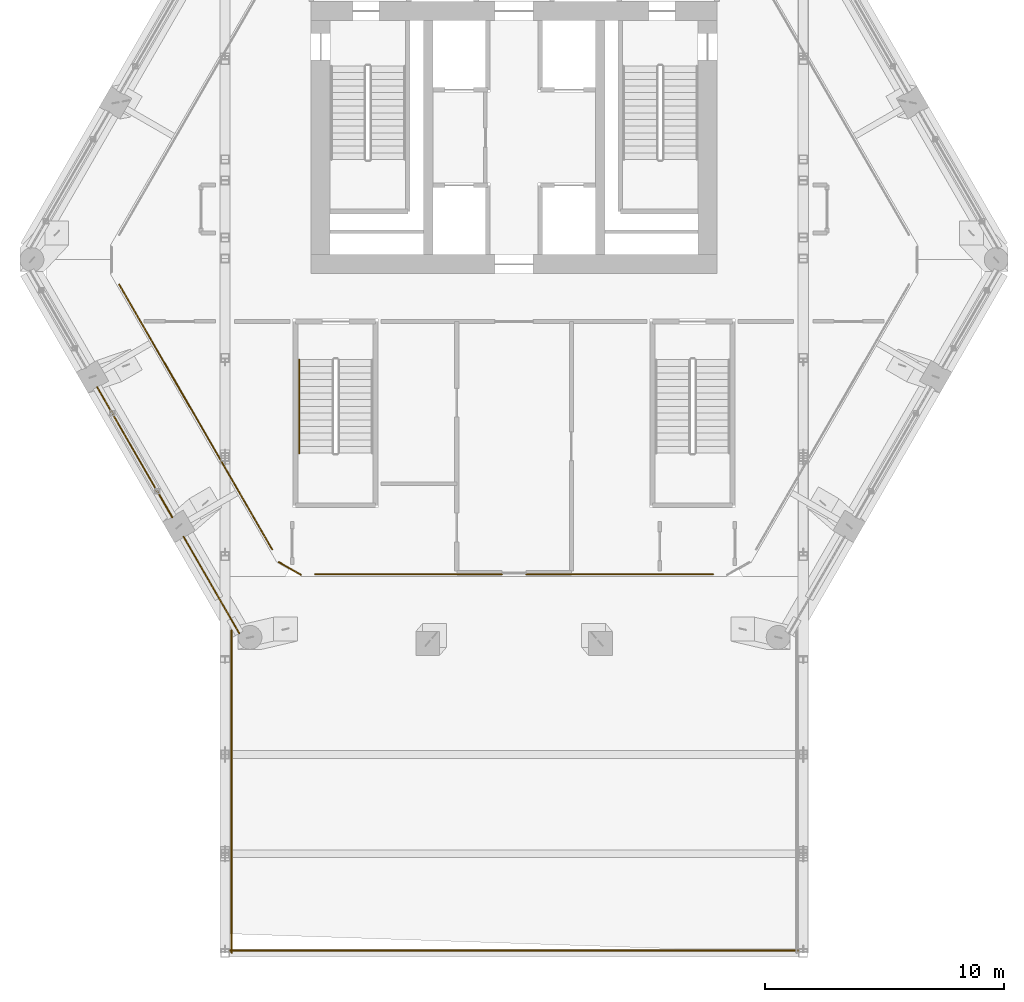
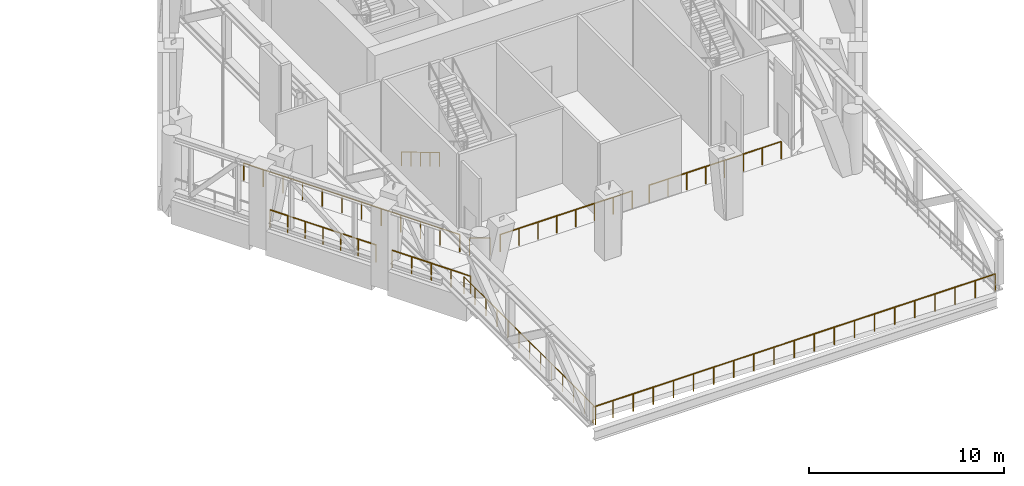
# One storey, part 18 of 22: 9 railings.
"""IFC4 building model written with IfcOpenShell, lengths in metres."""

from ifc_helpers import new_model, si_unit, direction, frame, origin, origin_2d, place, context, subcontext, project, spatial, circle, extrude, material, type_object, element, save


model = new_model("IFC4")

# Units and contexts
model_context = context("Model", 3, precision=1e-05, world=origin(), true_north=direction((0.0, 1.0)))
body_context = subcontext(model_context, "Body", "Model", "MODEL_VIEW")
ifc_project = project(units=[si_unit("LENGTHUNIT", "METRE"), si_unit("AREAUNIT", "SQUARE_METRE"), si_unit("VOLUMEUNIT", "CUBIC_METRE"), si_unit("PLANEANGLEUNIT", "RADIAN"), si_unit("MASSUNIT", "GRAM", prefix="KILO")], contexts=[model_context])

# Site, building, storey
site_placement = place(None, origin())
site = spatial("IfcSite", under=ifc_project, at=site_placement, CompositionType="ELEMENT")
building_placement = place(site_placement, origin())
building = spatial("IfcBuilding", under=site, at=building_placement, Name="Ostrander Bayou Hotel Tower", CompositionType="ELEMENT")
storey_placement = place(building_placement, frame((0.0, 0.0, 209.5)))
storey = spatial("IfcBuildingStorey", under=building, at=storey_placement, Name="L52", CompositionType="ELEMENT", Elevation=209.5)

# Railings
ifc_material_1 = material(Name="Stainless steel and clear glass", Category="steel")
railing_type_1 = type_object("IfcRailingType", Name="GR1 guard 1100 mm", PredefinedType="GUARDRAIL", material=ifc_material_1)
railing_1_placement = place(storey_placement, frame((-17.465576171875, -6.44873046875, 0.0)))
element("IfcRailing", 1, at=railing_1_placement, inside=storey, type_object=railing_type_1, Name="GR1 L52 SW-2 open band guard", PredefinedType="GUARDRAIL", context=body_context, shape_type="SweptSolid", body=[
    extrude(circle(Radius=0.02490234375, at=origin_2d()), frame((0.0, 0.0, 1.0751953125), z_axis=(0.500013351051, -0.866017695414, 0.0), x_axis=(0.866017695414, 0.500013351051, 0.0)), (0.0, 0.0, 1.0), 6.296142578125),
    extrude(circle(Radius=0.02001953125, at=origin_2d()), origin(), (0.0, 0.0, 1.0), 1.050048828125),
    extrude(circle(Radius=0.02001953125, at=origin_2d()), frame((0.524658203125, -0.90869140625, 0.0)), (0.0, 0.0, 1.0), 1.050048828125),
    extrude(circle(Radius=0.02001953125, at=origin_2d()), frame((1.04931640625, -1.817626953125, 0.0)), (0.0, 0.0, 1.0), 1.050048828125),
    extrude(circle(Radius=0.02001953125, at=origin_2d()), frame((1.57421875, -2.726318359375, 0.0)), (0.0, 0.0, 1.0), 1.050048828125),
    extrude(circle(Radius=0.02001953125, at=origin_2d()), frame((2.098876953125, -3.635009765625, 0.0)), (0.0, 0.0, 1.0), 1.050048828125),
    extrude(circle(Radius=0.02001953125, at=origin_2d()), frame((2.62353515625, -4.5439453125, 0.0)), (0.0, 0.0, 1.0), 1.050048828125),
    extrude(circle(Radius=0.02001953125, at=origin_2d()), frame((3.148193359375, -5.45263671875, 0.0)), (0.0, 0.0, 1.0), 1.050048828125),
])
railing_2_placement = place(storey_placement, frame((-13.847412109375, -12.71533203125, 0.0)))
element("IfcRailing", 2, at=railing_2_placement, inside=storey, type_object=railing_type_1, Name="GR1 L52 SW-3 open band guard", PredefinedType="GUARDRAIL", context=body_context, shape_type="SweptSolid", body=[
    extrude(circle(Radius=0.02490234375, at=origin_2d()), frame((0.0, 0.0, 1.0751953125), z_axis=(0.499966354109, -0.866044828377, 0.0), x_axis=(0.866044828377, 0.499966354109, 0.0)), (0.0, 0.0, 1.0), 4.678955078125),
    extrude(circle(Radius=0.02001953125, at=origin_2d()), origin(), (0.0, 0.0, 1.0), 1.050048828125),
    extrude(circle(Radius=0.02001953125, at=origin_2d()), frame((0.5849609375, -1.01318359375, 0.0)), (0.0, 0.0, 1.0), 1.050048828125),
    extrude(circle(Radius=0.02001953125, at=origin_2d()), frame((1.169677734375, -2.026123046875, 0.0)), (0.0, 0.0, 1.0), 1.050048828125),
    extrude(circle(Radius=0.02001953125, at=origin_2d()), frame((1.75439453125, -3.0390625, 0.0)), (0.0, 0.0, 1.0), 1.050048828125),
    extrude(circle(Radius=0.02001953125, at=origin_2d()), frame((2.33935546875, -4.05224609375, 0.0)), (0.0, 0.0, 1.0), 1.050048828125),
])
railing_3_placement = place(storey_placement, frame((-9.855712890625, -13.77978515625, 0.0)))
element("IfcRailing", 3, at=railing_3_placement, inside=storey, type_object=railing_type_1, Name="GR1 L52 corner guard 3", PredefinedType="GUARDRAIL", context=body_context, shape_type="SweptSolid", body=[
    extrude(circle(Radius=0.02490234375, at=origin_2d()), frame((0.0, 0.0, 1.0751953125), z_axis=(0.866105447774, -0.499861334108, 0.0), x_axis=(0.499861334108, 0.866105447774, 0.0)), (0.0, 0.0, 1.0), 1.065185546875),
    extrude(circle(Radius=0.02001953125, at=origin_2d()), origin(), (0.0, 0.0, 1.0), 1.050048828125),
    extrude(circle(Radius=0.02001953125, at=origin_2d()), frame((0.922607421875, -0.532470703125, 0.0)), (0.0, 0.0, 1.0), 1.050048828125),
])
railing_4_placement = place(storey_placement, frame((-10.13330078125, -13.24853515625, 0.0)))
element("IfcRailing", 4, at=railing_4_placement, inside=storey, type_object=railing_type_1, Name="GR1 L52 edge guard 5", PredefinedType="GUARDRAIL", context=body_context, shape_type="SweptSolid", body=[
    extrude(circle(Radius=0.02490234375, at=origin_2d()), frame((0.0, 0.0, 1.0751953125), z_axis=(-0.50000997732, 0.8660196433, 0.0), x_axis=(-0.8660196433, -0.50000997732, 0.0)), (0.0, 0.0, 1.0), 12.813720703125),
    extrude(circle(Radius=0.02001953125, at=origin_2d()), origin(), (0.0, 0.0, 1.0), 1.050048828125),
    extrude(circle(Radius=0.02001953125, at=origin_2d()), frame((-0.58251953125, 1.0087890625, 0.0)), (0.0, 0.0, 1.0), 1.050048828125),
    extrude(circle(Radius=0.02001953125, at=origin_2d()), frame((-1.164794921875, 2.017578125, 0.0)), (0.0, 0.0, 1.0), 1.050048828125),
    extrude(circle(Radius=0.02001953125, at=origin_2d()), frame((-1.747314453125, 3.0263671875, 0.0)), (0.0, 0.0, 1.0), 1.050048828125),
    extrude(circle(Radius=0.02001953125, at=origin_2d()), frame((-2.329833984375, 4.03515625, 0.0)), (0.0, 0.0, 1.0), 1.050048828125),
    extrude(circle(Radius=0.02001953125, at=origin_2d()), frame((-2.912353515625, 5.0439453125, 0.0)), (0.0, 0.0, 1.0), 1.050048828125),
    extrude(circle(Radius=0.02001953125, at=origin_2d()), frame((-3.49462890625, 6.052978515625, 0.0)), (0.0, 0.0, 1.0), 1.050048828125),
    extrude(circle(Radius=0.02001953125, at=origin_2d()), frame((-4.0771484375, 7.061767578125, 0.0)), (0.0, 0.0, 1.0), 1.050048828125),
    extrude(circle(Radius=0.02001953125, at=origin_2d()), frame((-4.65966796875, 8.070556640625, 0.0)), (0.0, 0.0, 1.0), 1.050048828125),
    extrude(circle(Radius=0.02001953125, at=origin_2d()), frame((-5.2421875, 9.079345703125, 0.0)), (0.0, 0.0, 1.0), 1.050048828125),
    extrude(circle(Radius=0.02001953125, at=origin_2d()), frame((-5.824462890625, 10.088134765625, 0.0)), (0.0, 0.0, 1.0), 1.050048828125),
    extrude(circle(Radius=0.02001953125, at=origin_2d()), frame((-6.406982421875, 11.096923828125, 0.0)), (0.0, 0.0, 1.0), 1.050048828125),
])
railing_5_placement = place(storey_placement, frame((-11.832275390625, -16.6357421875, 0.0)))
element("IfcRailing", 5, at=railing_5_placement, inside=storey, type_object=railing_type_1, Name="GR1 bar roof guard SB4 2", PredefinedType="GUARDRAIL", context=body_context, shape_type="SweptSolid", body=[
    extrude(circle(Radius=0.02490234375, at=origin_2d()), frame((0.0, 0.0, 1.0751953125), z_axis=(0.0, -1.0, 0.0), x_axis=(1.0, 0.0, 0.0)), (0.0, 0.0, 1.0), 13.51416015625),
    extrude(circle(Radius=0.02001953125, at=origin_2d()), origin(), (0.0, 0.0, 1.0), 1.050048828125),
    extrude(circle(Radius=0.02001953125, at=origin_2d()), frame((0.0, -1.126220703125, 0.0)), (0.0, 0.0, 1.0), 1.050048828125),
    extrude(circle(Radius=0.02001953125, at=origin_2d()), frame((0.0, -2.25244140625, 0.0)), (0.0, 0.0, 1.0), 1.050048828125),
    extrude(circle(Radius=0.02001953125, at=origin_2d()), frame((0.0, -3.37841796875, 0.0)), (0.0, 0.0, 1.0), 1.050048828125),
    extrude(circle(Radius=0.02001953125, at=origin_2d()), frame((0.0, -4.504638671875, 0.0)), (0.0, 0.0, 1.0), 1.050048828125),
    extrude(circle(Radius=0.02001953125, at=origin_2d()), frame((0.0, -5.630859375, 0.0)), (0.0, 0.0, 1.0), 1.050048828125),
    extrude(circle(Radius=0.02001953125, at=origin_2d()), frame((0.0, -6.757080078125, 0.0)), (0.0, 0.0, 1.0), 1.050048828125),
    extrude(circle(Radius=0.02001953125, at=origin_2d()), frame((0.0, -7.88330078125, 0.0)), (0.0, 0.0, 1.0), 1.050048828125),
    extrude(circle(Radius=0.02001953125, at=origin_2d()), frame((0.0, -9.009521484375, 0.0)), (0.0, 0.0, 1.0), 1.050048828125),
    extrude(circle(Radius=0.02001953125, at=origin_2d()), frame((0.0, -10.1357421875, 0.0)), (0.0, 0.0, 1.0), 1.050048828125),
    extrude(circle(Radius=0.02001953125, at=origin_2d()), frame((0.0, -11.26171875, 0.0)), (0.0, 0.0, 1.0), 1.050048828125),
    extrude(circle(Radius=0.02001953125, at=origin_2d()), frame((0.0, -12.387939453125, 0.0)), (0.0, 0.0, 1.0), 1.050048828125),
    extrude(circle(Radius=0.02001953125, at=origin_2d()), frame((0.0, -13.51416015625, 0.0)), (0.0, 0.0, 1.0), 1.050048828125),
])
railing_6_placement = place(storey_placement, frame((-11.93212890625, -30.050048828125, 0.0)))
element("IfcRailing", 6, at=railing_6_placement, inside=storey, type_object=railing_type_1, Name="GR1 bar roof guard SB4 3", PredefinedType="GUARDRAIL", context=body_context, shape_type="SweptSolid", body=[
    extrude(circle(Radius=0.02490234375, at=origin_2d()), frame((0.0, 0.0, 1.0751953125), z_axis=(1.0, 0.0, 0.0), x_axis=(0.0, 1.0, 0.0)), (0.0, 0.0, 1.0), 23.8642578125),
    extrude(circle(Radius=0.02001953125, at=origin_2d()), origin(), (0.0, 0.0, 1.0), 1.050048828125),
    extrude(circle(Radius=0.02001953125, at=origin_2d()), frame((1.193115234375, 0.0, 0.0)), (0.0, 0.0, 1.0), 1.050048828125),
    extrude(circle(Radius=0.02001953125, at=origin_2d()), frame((2.386474609375, 0.0, 0.0)), (0.0, 0.0, 1.0), 1.050048828125),
    extrude(circle(Radius=0.02001953125, at=origin_2d()), frame((3.57958984375, 0.0, 0.0)), (0.0, 0.0, 1.0), 1.050048828125),
    extrude(circle(Radius=0.02001953125, at=origin_2d()), frame((4.77294921875, 0.0, 0.0)), (0.0, 0.0, 1.0), 1.050048828125),
    extrude(circle(Radius=0.02001953125, at=origin_2d()), frame((5.966064453125, 0.0, 0.0)), (0.0, 0.0, 1.0), 1.050048828125),
    extrude(circle(Radius=0.02001953125, at=origin_2d()), frame((7.1591796875, 0.0, 0.0)), (0.0, 0.0, 1.0), 1.050048828125),
    extrude(circle(Radius=0.02001953125, at=origin_2d()), frame((8.3525390625, 0.0, 0.0)), (0.0, 0.0, 1.0), 1.050048828125),
    extrude(circle(Radius=0.02001953125, at=origin_2d()), frame((9.545654296875, 0.0, 0.0)), (0.0, 0.0, 1.0), 1.050048828125),
    extrude(circle(Radius=0.02001953125, at=origin_2d()), frame((10.739013671875, 0.0, 0.0)), (0.0, 0.0, 1.0), 1.050048828125),
    extrude(circle(Radius=0.02001953125, at=origin_2d()), frame((11.93212890625, 0.0, 0.0)), (0.0, 0.0, 1.0), 1.050048828125),
    extrude(circle(Radius=0.02001953125, at=origin_2d()), frame((13.125244140625, 0.0, 0.0)), (0.0, 0.0, 1.0), 1.050048828125),
    extrude(circle(Radius=0.02001953125, at=origin_2d()), frame((14.318603515625, 0.0, 0.0)), (0.0, 0.0, 1.0), 1.050048828125),
    extrude(circle(Radius=0.02001953125, at=origin_2d()), frame((15.51171875, 0.0, 0.0)), (0.0, 0.0, 1.0), 1.050048828125),
    extrude(circle(Radius=0.02001953125, at=origin_2d()), frame((16.705078125, 0.0, 0.0)), (0.0, 0.0, 1.0), 1.050048828125),
    extrude(circle(Radius=0.02001953125, at=origin_2d()), frame((17.898193359375, 0.0, 0.0)), (0.0, 0.0, 1.0), 1.050048828125),
    extrude(circle(Radius=0.02001953125, at=origin_2d()), frame((19.09130859375, 0.0, 0.0)), (0.0, 0.0, 1.0), 1.050048828125),
    extrude(circle(Radius=0.02001953125, at=origin_2d()), frame((20.28466796875, 0.0, 0.0)), (0.0, 0.0, 1.0), 1.050048828125),
    extrude(circle(Radius=0.02001953125, at=origin_2d()), frame((21.477783203125, 0.0, 0.0)), (0.0, 0.0, 1.0), 1.050048828125),
    extrude(circle(Radius=0.02001953125, at=origin_2d()), frame((22.671142578125, 0.0, 0.0)), (0.0, 0.0, 1.0), 1.050048828125),
    extrude(circle(Radius=0.02001953125, at=origin_2d()), frame((23.8642578125, 0.0, 0.0)), (0.0, 0.0, 1.0), 1.050048828125),
])
for number, where, name in (
    (7, (8.334228515625, -14.287109375, 0.0), "GR1 L52 edge guard 4"),
    (8, (-0.5, -14.287109375, 0.0), "GR1 L52 edge guard 4"),
):
    element("IfcRailing", number, at=place(storey_placement, frame(where)), inside=storey, type_object=railing_type_1, Name=name, PredefinedType="GUARDRAIL", context=body_context, shape_type="SweptSolid", body=[
        extrude(circle(Radius=0.02490234375, at=origin_2d()), frame((0.0, 0.0, 1.0751953125), z_axis=(-1.0, 0.0, 0.0), x_axis=(0.0, -1.0, 0.0)), (0.0, 0.0, 1.0), 7.834228515625),
        extrude(circle(Radius=0.02001953125, at=origin_2d()), origin(), (0.0, 0.0, 1.0), 1.050048828125),
        extrude(circle(Radius=0.02001953125, at=origin_2d()), frame((-1.119140625, 0.0, 0.0)), (0.0, 0.0, 1.0), 1.050048828125),
        extrude(circle(Radius=0.02001953125, at=origin_2d()), frame((-2.23828125, 0.0, 0.0)), (0.0, 0.0, 1.0), 1.050048828125),
        extrude(circle(Radius=0.02001953125, at=origin_2d()), frame((-3.357421875, 0.0, 0.0)), (0.0, 0.0, 1.0), 1.050048828125),
        extrude(circle(Radius=0.02001953125, at=origin_2d()), frame((-4.476806640625, 0.0, 0.0)), (0.0, 0.0, 1.0), 1.050048828125),
        extrude(circle(Radius=0.02001953125, at=origin_2d()), frame((-5.595947265625, 0.0, 0.0)), (0.0, 0.0, 1.0), 1.050048828125),
        extrude(circle(Radius=0.02001953125, at=origin_2d()), frame((-6.715087890625, 0.0, 0.0)), (0.0, 0.0, 1.0), 1.050048828125),
        extrude(circle(Radius=0.02001953125, at=origin_2d()), frame((-7.834228515625, 0.0, 0.0)), (0.0, 0.0, 1.0), 1.050048828125),
    ])
ifc_material_2 = material(Name="Steel ASTM A500 Gr C", Category="steel")
railing_type_2 = type_object("IfcRailingType", Name="HR1 stair handrail 900 mm steel", PredefinedType="HANDRAIL", material=ifc_material_2)
railing_7_placement = place(storey_placement, frame((-9.0, -5.300048828125, 0.166748046875)))
element("IfcRailing", 9, at=railing_7_placement, inside=storey, type_object=railing_type_2, Name="L52 STD stair handrail 1", PredefinedType="HANDRAIL", context=body_context, shape_type="SweptSolid", body=[
    extrude(circle(Radius=0.02392578125, at=origin_2d()), frame((0.0, 0.0, 0.8759765625), z_axis=(0.0, -0.859296244711, 0.511478214419), x_axis=(1.0, 0.0, 0.0)), (0.0, 0.0, 1.0), 4.561767578125),
    extrude(circle(Radius=0.02099609375, at=origin_2d()), origin(), (0.0, 0.0, 1.0), 0.851806640625),
    extrude(circle(Radius=0.02099609375, at=origin_2d()), frame((0.0, -0.97998046875, 0.583251953125)), (0.0, 0.0, 1.0), 0.851806640625),
    extrude(circle(Radius=0.02099609375, at=origin_2d()), frame((0.0, -1.9599609375, 1.16650390625)), (0.0, 0.0, 1.0), 0.851806640625),
    extrude(circle(Radius=0.02099609375, at=origin_2d()), frame((0.0, -2.93994140625, 1.75)), (0.0, 0.0, 1.0), 0.851806640625),
    extrude(circle(Radius=0.02099609375, at=origin_2d()), frame((0.0, -3.919921875, 2.333251953125)), (0.0, 0.0, 1.0), 0.851806640625),
])

save(model, "model.ifc")
